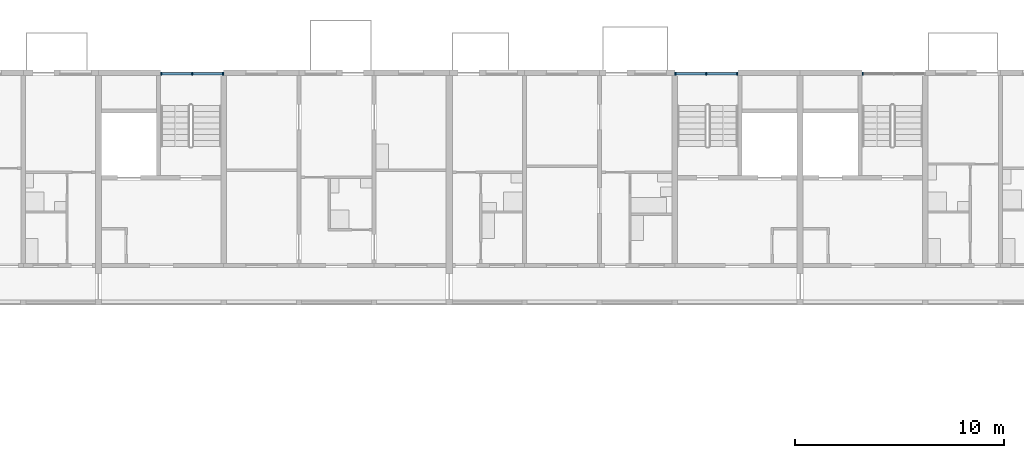
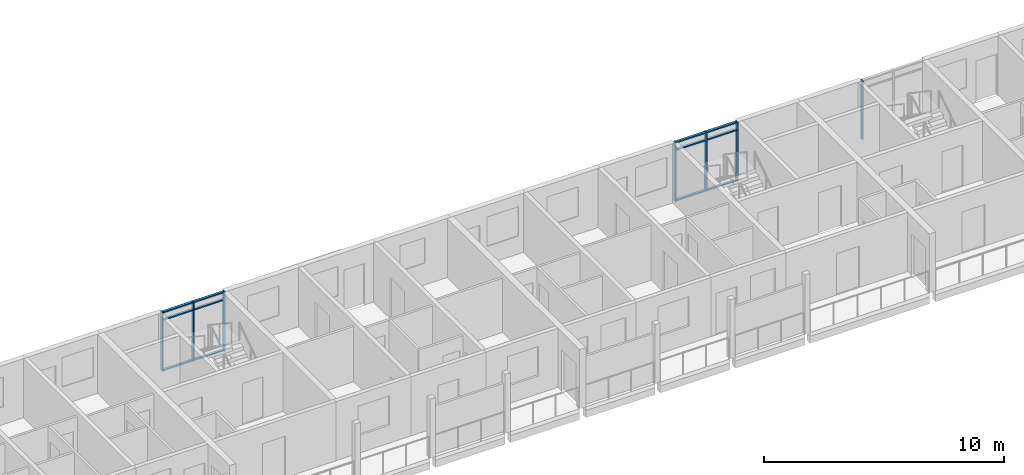
# One storey, part 20 of 93: 19 members, 3 elements without a shape of their own.
"""IFC4 building model written with IfcOpenShell, lengths in metres."""

from ifc_helpers import new_model, si_unit, direction, frame, origin, origin_2d, place, context, subcontext, project, spatial, rectangle, extrude, material, material_profile, profile_set, type_object, element, aggregate, save


model = new_model("IFC4")

# Units and contexts
model_context = context("Model", 3, precision=1e-05, world=origin(), true_north=direction((0.0, 1.0)))
body_context = subcontext(model_context, "Body", "Model", "MODEL_VIEW")
ifc_project = project(units=[si_unit("LENGTHUNIT", "METRE"), si_unit("AREAUNIT", "SQUARE_METRE"), si_unit("VOLUMEUNIT", "CUBIC_METRE"), si_unit("PLANEANGLEUNIT", "RADIAN"), si_unit("MASSUNIT", "GRAM", prefix="KILO")], contexts=[model_context])

# Site, building, storey
site_placement = place(None, origin())
site = spatial("IfcSite", under=ifc_project, at=site_placement, CompositionType="ELEMENT")
building_placement = place(site_placement, origin())
building = spatial("IfcBuilding", under=site, at=building_placement, Name="Ridgestep Commons", CompositionType="ELEMENT")
storey_placement = place(building_placement, frame((0.0, 0.0, 18.0)))
storey = spatial("IfcBuildingStorey", under=building, at=storey_placement, Name="L06", CompositionType="ELEMENT", Elevation=18.0)

# Curtain wall, members
ifc_material_1 = material(Name="Aluminium 6063-T6 and glass", Category="aluminium")
curtain_wall_type = type_object("IfcCurtainWallType", Name="Curtain wall stair strip", PredefinedType="NOTDEFINED", material=ifc_material_1)
curtain_wall_1_placement = place(storey_placement, origin())
curtain_wall_1 = element("IfcCurtainWall", 1, at=curtain_wall_1_placement, inside=storey, type_object=curtain_wall_type, Name="Curtain wall C4C level 06", PredefinedType="NOTDEFINED")
ifc_material_2 = material(Name="Aluminium 6063-T6", Category="aluminium")
ifc_material_profile_1 = material_profile(ifc_material_2, rectangle(XDim=0.159912109375, YDim=0.06005859375, at=origin_2d()), Name="Mullion 60 x 160")
ifc_profile_set_1 = profile_set([ifc_material_profile_1], Name="Aluminium 6063-T6")
member_type_1 = type_object("IfcMemberType", Name="Mullion 60 x 160", PredefinedType="MULLION", material=ifc_profile_set_1)
member_1_placement = place(storey_placement, frame((200.205078125, 77.080078125, 0.0), z_axis=(0.0, 0.0, 1.0), x_axis=(0.0, 1.0, 0.0)))
member_1 = element("IfcMember", 2, at=member_1_placement, type_object=member_type_1, Name="CW1 mullion 1", PredefinedType="MULLION", context=body_context, shape_type="SweptSolid", body=[
    extrude(rectangle(XDim=0.159912109375, YDim=0.06005859375, at=origin_2d()), origin(), (0.0, 0.0, 1.0), 3.0),
])
member_2_placement = place(storey_placement, frame((201.6875, 77.080078125, 0.0), z_axis=(0.0, 0.0, 1.0), x_axis=(0.0, 1.0, 0.0)))
member_2 = element("IfcMember", 3, at=member_2_placement, type_object=member_type_1, Name="CW1 mullion 2", PredefinedType="MULLION", context=body_context, shape_type="SweptSolid", body=[
    extrude(rectangle(XDim=0.159912109375, YDim=0.06005859375, at=origin_2d()), origin(), (0.0, 0.0, 1.0), 3.0),
])
member_3_placement = place(storey_placement, frame((203.169921875, 77.080078125, 0.0), z_axis=(0.0, 0.0, 1.0), x_axis=(0.0, 1.0, 0.0)))
member_3 = element("IfcMember", 4, at=member_3_placement, type_object=member_type_1, Name="CW1 mullion 3", PredefinedType="MULLION", context=body_context, shape_type="SweptSolid", body=[
    extrude(rectangle(XDim=0.159912109375, YDim=0.06005859375, at=origin_2d()), origin(), (0.0, 0.0, 1.0), 3.0),
])

curtain_wall_2_placement = place(storey_placement, origin())
curtain_wall_2 = element("IfcCurtainWall", 5, at=curtain_wall_2_placement, inside=storey, type_object=curtain_wall_type, Name="Curtain wall C5C level 06", PredefinedType="NOTDEFINED")
member_4_placement = place(storey_placement, frame((224.830078125, 77.080078125, 0.0), z_axis=(0.0, 0.0, 1.0), x_axis=(0.0, 1.0, 0.0)))
member_4 = element("IfcMember", 6, at=member_4_placement, type_object=member_type_1, Name="CW1 mullion 1", PredefinedType="MULLION", context=body_context, shape_type="SweptSolid", body=[
    extrude(rectangle(XDim=0.159912109375, YDim=0.06005859375, at=origin_2d()), origin(), (0.0, 0.0, 1.0), 3.0),
])
member_5_placement = place(storey_placement, frame((226.3125, 77.080078125, 0.0), z_axis=(0.0, 0.0, 1.0), x_axis=(0.0, 1.0, 0.0)))
member_5 = element("IfcMember", 7, at=member_5_placement, type_object=member_type_1, Name="CW1 mullion 2", PredefinedType="MULLION", context=body_context, shape_type="SweptSolid", body=[
    extrude(rectangle(XDim=0.159912109375, YDim=0.06005859375, at=origin_2d()), origin(), (0.0, 0.0, 1.0), 3.0),
])
member_6_placement = place(storey_placement, frame((227.794921875, 77.080078125, 0.0), z_axis=(0.0, 0.0, 1.0), x_axis=(0.0, 1.0, 0.0)))
member_6 = element("IfcMember", 8, at=member_6_placement, type_object=member_type_1, Name="CW1 mullion 3", PredefinedType="MULLION", context=body_context, shape_type="SweptSolid", body=[
    extrude(rectangle(XDim=0.159912109375, YDim=0.06005859375, at=origin_2d()), origin(), (0.0, 0.0, 1.0), 3.0),
])

# Curtain wall, member
curtain_wall_3_placement = place(storey_placement, origin())
curtain_wall_3 = element("IfcCurtainWall", 9, at=curtain_wall_3_placement, inside=storey, type_object=curtain_wall_type, Name="Curtain wall C6C level 06", PredefinedType="NOTDEFINED")
member_7_placement = place(storey_placement, frame((233.804931640625, 77.080078125, 0.0), z_axis=(0.0, 0.0, 1.0), x_axis=(0.0, 1.0, 0.0)))
member_7 = element("IfcMember", 10, at=member_7_placement, type_object=member_type_1, Name="CW1 mullion 1", PredefinedType="MULLION", context=body_context, shape_type="SweptSolid", body=[
    extrude(rectangle(XDim=0.159912109375, YDim=0.06005859375, at=origin_2d()), origin(), (0.0, 0.0, 1.0), 3.0),
])
aggregate(curtain_wall_3, [member_7])

# Member
ifc_material_3 = material(Name="Aluminium 6063-T6", Category="aluminium")
ifc_material_profile_2 = material_profile(ifc_material_3, rectangle(XDim=0.1201171875, YDim=0.06005859375, at=origin_2d()), Name="Transom 60 x 120")
ifc_profile_set_2 = profile_set([ifc_material_profile_2], Name="Aluminium 6063-T6")
member_type_2 = type_object("IfcMemberType", Name="Transom 60 x 120", PredefinedType="USERDEFINED", material=ifc_profile_set_2)
member_8_placement = place(storey_placement, frame((200.235107421875, 77.080078125, 0.030029296875), z_axis=(1.0, 0.0, 0.0), x_axis=(0.0, 1.0, 0.0)))
member_8 = element("IfcMember", 11, at=member_8_placement, type_object=member_type_2, Name="CW1 transom 1.1", ObjectType="TRANSOM", PredefinedType="USERDEFINED", context=body_context, shape_type="SweptSolid", body=[
    extrude(rectangle(XDim=0.1201171875, YDim=0.06005859375, at=origin_2d()), origin(), (0.0, 0.0, 1.0), 1.42236328125),
])

member_9_placement = place(storey_placement, frame((200.235107421875, 77.080078125, 2.590087890625), z_axis=(1.0, 0.0, 0.0), x_axis=(0.0, 1.0, 0.0)))
member_9 = element("IfcMember", 12, at=member_9_placement, type_object=member_type_2, Name="CW1 transom 1.2", ObjectType="TRANSOM", PredefinedType="USERDEFINED", context=body_context, shape_type="SweptSolid", body=[
    extrude(rectangle(XDim=0.1201171875, YDim=0.06005859375, at=origin_2d()), origin(), (0.0, 0.0, 1.0), 1.42236328125),
])

member_10_placement = place(storey_placement, frame((200.235107421875, 77.080078125, 2.969970703125), z_axis=(1.0, 0.0, 0.0), x_axis=(0.0, 1.0, 0.0)))
member_10 = element("IfcMember", 13, at=member_10_placement, type_object=member_type_2, Name="CW1 transom 1.3", ObjectType="TRANSOM", PredefinedType="USERDEFINED", context=body_context, shape_type="SweptSolid", body=[
    extrude(rectangle(XDim=0.1201171875, YDim=0.06005859375, at=origin_2d()), origin(), (0.0, 0.0, 1.0), 1.42236328125),
])

member_11_placement = place(storey_placement, frame((201.717529296875, 77.080078125, 0.030029296875), z_axis=(1.0, 0.0, 0.0), x_axis=(0.0, 1.0, 0.0)))
member_11 = element("IfcMember", 14, at=member_11_placement, type_object=member_type_2, Name="CW1 transom 2.1", ObjectType="TRANSOM", PredefinedType="USERDEFINED", context=body_context, shape_type="SweptSolid", body=[
    extrude(rectangle(XDim=0.1201171875, YDim=0.06005859375, at=origin_2d()), origin(), (0.0, 0.0, 1.0), 1.42236328125),
])

member_12_placement = place(storey_placement, frame((201.717529296875, 77.080078125, 2.590087890625), z_axis=(1.0, 0.0, 0.0), x_axis=(0.0, 1.0, 0.0)))
member_12 = element("IfcMember", 15, at=member_12_placement, type_object=member_type_2, Name="CW1 transom 2.2", ObjectType="TRANSOM", PredefinedType="USERDEFINED", context=body_context, shape_type="SweptSolid", body=[
    extrude(rectangle(XDim=0.1201171875, YDim=0.06005859375, at=origin_2d()), origin(), (0.0, 0.0, 1.0), 1.42236328125),
])

member_13_placement = place(storey_placement, frame((201.717529296875, 77.080078125, 2.969970703125), z_axis=(1.0, 0.0, 0.0), x_axis=(0.0, 1.0, 0.0)))
member_13 = element("IfcMember", 16, at=member_13_placement, type_object=member_type_2, Name="CW1 transom 2.3", ObjectType="TRANSOM", PredefinedType="USERDEFINED", context=body_context, shape_type="SweptSolid", body=[
    extrude(rectangle(XDim=0.1201171875, YDim=0.06005859375, at=origin_2d()), origin(), (0.0, 0.0, 1.0), 1.42236328125),
])

aggregate(curtain_wall_1, [member_1, member_2, member_3, member_8, member_9, member_10, member_11, member_12, member_13])

member_14_placement = place(storey_placement, frame((224.860107421875, 77.080078125, 0.030029296875), z_axis=(1.0, 0.0, 0.0), x_axis=(0.0, 1.0, 0.0)))
member_14 = element("IfcMember", 17, at=member_14_placement, type_object=member_type_2, Name="CW1 transom 1.1", ObjectType="TRANSOM", PredefinedType="USERDEFINED", context=body_context, shape_type="SweptSolid", body=[
    extrude(rectangle(XDim=0.1201171875, YDim=0.06005859375, at=origin_2d()), origin(), (0.0, 0.0, 1.0), 1.42236328125),
])

member_15_placement = place(storey_placement, frame((224.860107421875, 77.080078125, 2.590087890625), z_axis=(1.0, 0.0, 0.0), x_axis=(0.0, 1.0, 0.0)))
member_15 = element("IfcMember", 18, at=member_15_placement, type_object=member_type_2, Name="CW1 transom 1.2", ObjectType="TRANSOM", PredefinedType="USERDEFINED", context=body_context, shape_type="SweptSolid", body=[
    extrude(rectangle(XDim=0.1201171875, YDim=0.06005859375, at=origin_2d()), origin(), (0.0, 0.0, 1.0), 1.42236328125),
])

member_16_placement = place(storey_placement, frame((224.860107421875, 77.080078125, 2.969970703125), z_axis=(1.0, 0.0, 0.0), x_axis=(0.0, 1.0, 0.0)))
member_16 = element("IfcMember", 19, at=member_16_placement, type_object=member_type_2, Name="CW1 transom 1.3", ObjectType="TRANSOM", PredefinedType="USERDEFINED", context=body_context, shape_type="SweptSolid", body=[
    extrude(rectangle(XDim=0.1201171875, YDim=0.06005859375, at=origin_2d()), origin(), (0.0, 0.0, 1.0), 1.42236328125),
])

member_17_placement = place(storey_placement, frame((226.342529296875, 77.080078125, 0.030029296875), z_axis=(1.0, 0.0, 0.0), x_axis=(0.0, 1.0, 0.0)))
member_17 = element("IfcMember", 20, at=member_17_placement, type_object=member_type_2, Name="CW1 transom 2.1", ObjectType="TRANSOM", PredefinedType="USERDEFINED", context=body_context, shape_type="SweptSolid", body=[
    extrude(rectangle(XDim=0.1201171875, YDim=0.06005859375, at=origin_2d()), origin(), (0.0, 0.0, 1.0), 1.42236328125),
])

member_18_placement = place(storey_placement, frame((226.342529296875, 77.080078125, 2.590087890625), z_axis=(1.0, 0.0, 0.0), x_axis=(0.0, 1.0, 0.0)))
member_18 = element("IfcMember", 21, at=member_18_placement, type_object=member_type_2, Name="CW1 transom 2.2", ObjectType="TRANSOM", PredefinedType="USERDEFINED", context=body_context, shape_type="SweptSolid", body=[
    extrude(rectangle(XDim=0.1201171875, YDim=0.06005859375, at=origin_2d()), origin(), (0.0, 0.0, 1.0), 1.42236328125),
])

member_19_placement = place(storey_placement, frame((226.342529296875, 77.080078125, 2.969970703125), z_axis=(1.0, 0.0, 0.0), x_axis=(0.0, 1.0, 0.0)))
member_19 = element("IfcMember", 22, at=member_19_placement, type_object=member_type_2, Name="CW1 transom 2.3", ObjectType="TRANSOM", PredefinedType="USERDEFINED", context=body_context, shape_type="SweptSolid", body=[
    extrude(rectangle(XDim=0.1201171875, YDim=0.06005859375, at=origin_2d()), origin(), (0.0, 0.0, 1.0), 1.42236328125),
])

aggregate(curtain_wall_2, [member_4, member_5, member_6, member_14, member_15, member_16, member_17, member_18, member_19])

save(model, "model.ifc")
